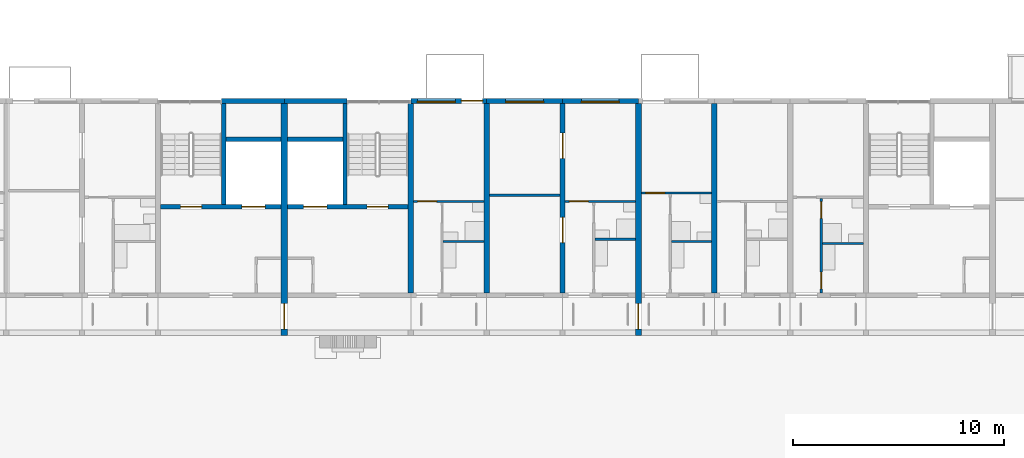
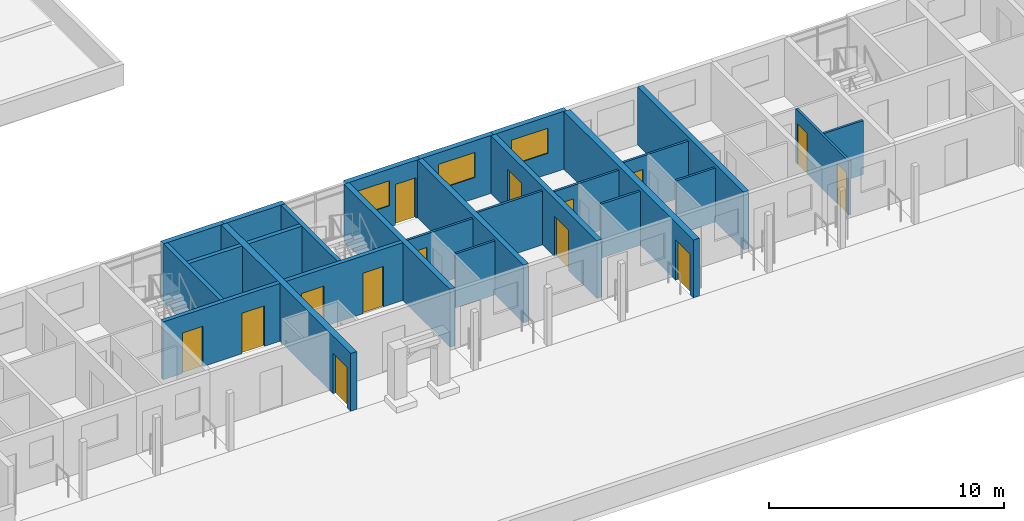
# One storey, part 59 of 115: 26 walls, 14 doors, 3 windows, 17 openings.
"""IFC4 building model written with IfcOpenShell, lengths in metres."""

from ifc_helpers import new_model, si_unit, direction, frame, frame_2d, origin, place, context, subcontext, project, spatial, rectangle, extrude, material, layer, layer_set, type_object, element, fill, save


model = new_model("IFC4")

# Units and contexts
model_context = context("Model", 3, precision=1e-05, world=origin(), true_north=direction((0.0, 1.0)))
body_context = subcontext(model_context, "Body", "Model", "MODEL_VIEW")
ifc_project = project(units=[si_unit("LENGTHUNIT", "METRE"), si_unit("AREAUNIT", "SQUARE_METRE"), si_unit("VOLUMEUNIT", "CUBIC_METRE"), si_unit("PLANEANGLEUNIT", "RADIAN"), si_unit("MASSUNIT", "GRAM", prefix="KILO")], contexts=[model_context])

# Site, building, storey
site_placement = place(None, origin())
site = spatial("IfcSite", under=ifc_project, at=site_placement, CompositionType="ELEMENT")
building_placement = place(site_placement, origin())
building = spatial("IfcBuilding", under=site, at=building_placement, Name="Ridgestep Commons", CompositionType="ELEMENT")
storey_placement = place(building_placement, frame((0.0, 0.0, 6.0)))
storey = spatial("IfcBuildingStorey", under=building, at=storey_placement, Name="L02", CompositionType="ELEMENT", Elevation=6.0)

# Wall
ifc_material_1 = material(Name="Concrete C30/37", Category="concrete")
ifc_layer_1 = layer(ifc_material_1, 0.25)
ifc_layer_set_1 = layer_set([ifc_layer_1], Name="Core cross wall 250")
wall_type_1 = type_object("IfcWallType", Name="Core cross wall 250", PredefinedType="SHEAR", material=ifc_layer_set_1)
wall_1_placement = place(storey_placement, frame((169.60009765625, 13.75, 0.0), z_axis=(0.0, 0.0, 1.0), x_axis=(0.0, 1.0, 0.0)))
element("IfcWall", 1, at=wall_1_placement, inside=storey, type_object=wall_type_1, Name="Cross wall D-02-1696", PredefinedType="SHEAR", context=body_context, shape_type="SweptSolid", body=[
    extrude(rectangle(XDim=9.0, YDim=0.25, at=frame_2d((4.5, 0.0))), origin(), (0.0, 0.0, 1.0), 3.0),
])

# Wall, openings, doors
ifc_material_2 = material(Name="Concrete C30/37", Category="concrete")
ifc_layer_2 = layer(ifc_material_2, 0.199951171875)
ifc_layer_set_2 = layer_set([ifc_layer_2], Name="Core wall 200")
wall_type_2 = type_object("IfcWallType", Name="Core wall 200", PredefinedType="SHEAR", material=ifc_layer_set_2)
wall_2_placement = place(storey_placement, frame((157.72509765625, 17.85009765625, 0.0), z_axis=(0.0, 0.0, 1.0), x_axis=(1.0, 0.0, 0.0)))
wall_2 = element("IfcWall", 2, at=wall_2_placement, inside=storey, type_object=wall_type_2, Name="Core lobby wall D1C L02", PredefinedType="SHEAR", context=body_context, shape_type="SweptSolid", body=[
    extrude(rectangle(XDim=5.724853515625, YDim=0.199951171875, at=frame_2d((2.8623046875, 0.0))), origin(), (0.0, 0.0, 1.0), 3.0),
])
opening_1_placement = place(wall_2_placement, frame((0.949951171875, 0.0, 0.0)))
opening_1 = element("IfcOpeningElement", 3, at=opening_1_placement, cuts=wall_2, Name="Opening D1C/02/2", PredefinedType="OPENING", context=body_context, shape_type="SweptSolid", body=[
    extrude(rectangle(XDim=1.0, YDim=2.10009765625, at=frame_2d((0.5, 1.050048828125))), frame((0.0, 0.10986328125, 0.0), z_axis=(0.0, -1.0, 0.0), x_axis=(1.0, 0.0, 0.0)), (0.0, 0.0, 1.0), 0.219970703125),
])
opening_2_placement = place(wall_2_placement, frame((3.862548828125, 0.0, 0.0)))
opening_2 = element("IfcOpeningElement", 4, at=opening_2_placement, cuts=wall_2, Name="Opening D1C/02/3", PredefinedType="OPENING", context=body_context, shape_type="SweptSolid", body=[
    extrude(rectangle(XDim=1.10009765625, YDim=2.10009765625, at=frame_2d((0.550048828125, 1.050048828125))), frame((0.0, 0.10986328125, 0.0), z_axis=(0.0, -1.0, 0.0), x_axis=(1.0, 0.0, 0.0)), (0.0, 0.0, 1.0), 0.219970703125),
])
ifc_material_3 = material(Name="Stainless steel", Category="steel")
door_type_1 = type_object("IfcDoorType", Name="Lift landing door 1100 x 2100 FD60", OperationType="DOUBLE_DOOR_SLIDING", PredefinedType="DOOR", material=ifc_material_3)
door_1_placement = place(opening_2_placement, origin())
door_1 = element("IfcDoor", 5, at=door_1_placement, inside=storey, type_object=door_type_1, Name="Landing door LD D1C L02", OperationType="DOUBLE_DOOR_SLIDING", OverallHeight=2.10009765625, OverallWidth=1.10009765625, PredefinedType="DOOR", context=body_context, shape_type="SweptSolid", body=[
    extrude(rectangle(XDim=1.10009765625, YDim=2.10009765625, at=frame_2d((0.550048828125, 1.050048828125))), frame((0.0, 0.02490234375, 0.0), z_axis=(0.0, -1.0, 0.0), x_axis=(1.0, 0.0, 0.0)), (0.0, 0.0, 1.0), 0.050048828125),
])
fill(opening_2, door_1)
ifc_material_4 = material(Name="Steel fire door", Category="steel")
door_type_2 = type_object("IfcDoorType", Name="Stair door 1000 x 2100 FD60", OperationType="NOTDEFINED", PredefinedType="DOOR", material=ifc_material_4)
door_2_placement = place(opening_1_placement, origin())
door_2 = element("IfcDoor", 6, at=door_2_placement, inside=storey, type_object=door_type_2, Name="Stair door D1C/02/2", OperationType="SINGLE_SWING_RIGHT", OverallHeight=2.10009765625, OverallWidth=1.0, PredefinedType="DOOR", context=body_context, shape_type="SweptSolid", body=[
    extrude(rectangle(XDim=1.0, YDim=2.10009765625, at=frame_2d((0.5, 1.050048828125))), frame((0.0, 0.02490234375, 0.0), z_axis=(0.0, -1.0, 0.0), x_axis=(1.0, 0.0, 0.0)), (0.0, 0.0, 1.0), 0.050048828125),
])
fill(opening_1, door_2)

# Walls
wall_3_placement = place(storey_placement, frame((160.72509765625, 17.949951171875, 0.0), z_axis=(0.0, 0.0, 1.0), x_axis=(0.0, 1.0, 0.0)))
element("IfcWall", 7, at=wall_3_placement, inside=storey, type_object=wall_type_2, Name="Core stair wall D1C L02", PredefinedType="SHEAR", context=body_context, shape_type="SweptSolid", body=[
    extrude(rectangle(XDim=4.800048828125, YDim=0.199951171875, at=frame_2d((2.39990234375, 0.0))), origin(), (0.0, 0.0, 1.0), 3.0),
])
wall_4_placement = place(storey_placement, frame((160.824951171875, 21.050048828125, 0.0), z_axis=(0.0, 0.0, 1.0), x_axis=(1.0, 0.0, 0.0)))
element("IfcWall", 8, at=wall_4_placement, inside=storey, type_object=wall_type_2, Name="Core duct wall D1C L02", PredefinedType="SHEAR", context=body_context, shape_type="SweptSolid", body=[
    extrude(rectangle(XDim=2.625, YDim=0.199951171875, at=frame_2d((1.3125, 0.0))), origin(), (0.0, 0.0, 1.0), 3.0),
])

# Wall, openings, doors
wall_5_placement = place(storey_placement, frame((163.75, 17.85009765625, 0.0), z_axis=(0.0, 0.0, 1.0), x_axis=(1.0, 0.0, 0.0)))
wall_5 = element("IfcWall", 9, at=wall_5_placement, inside=storey, type_object=wall_type_2, Name="Core lobby wall D2C L02", PredefinedType="SHEAR", context=body_context, shape_type="SweptSolid", body=[
    extrude(rectangle(XDim=5.72509765625, YDim=0.199951171875, at=frame_2d((2.862548828125, 0.0))), origin(), (0.0, 0.0, 1.0), 3.0),
])
opening_3_placement = place(wall_5_placement, frame((3.77490234375, 0.0, 0.0)))
opening_3 = element("IfcOpeningElement", 10, at=opening_3_placement, cuts=wall_5, Name="Opening D2C/02/2", PredefinedType="OPENING", context=body_context, shape_type="SweptSolid", body=[
    extrude(rectangle(XDim=1.0, YDim=2.10009765625, at=frame_2d((0.5, 1.050048828125))), frame((0.0, 0.10986328125, 0.0), z_axis=(0.0, -1.0, 0.0), x_axis=(1.0, 0.0, 0.0)), (0.0, 0.0, 1.0), 0.219970703125),
])
opening_4_placement = place(wall_5_placement, frame((0.762451171875, 0.0, 0.0)))
opening_4 = element("IfcOpeningElement", 11, at=opening_4_placement, cuts=wall_5, Name="Opening D2C/02/3", PredefinedType="OPENING", context=body_context, shape_type="SweptSolid", body=[
    extrude(rectangle(XDim=1.10009765625, YDim=2.10009765625, at=frame_2d((0.550048828125, 1.050048828125))), frame((0.0, 0.10986328125, 0.0), z_axis=(0.0, -1.0, 0.0), x_axis=(1.0, 0.0, 0.0)), (0.0, 0.0, 1.0), 0.219970703125),
])
door_3_placement = place(opening_4_placement, origin())
door_3 = element("IfcDoor", 12, at=door_3_placement, inside=storey, type_object=door_type_1, Name="Landing door LD D2C L02", OperationType="DOUBLE_DOOR_SLIDING", OverallHeight=2.10009765625, OverallWidth=1.10009765625, PredefinedType="DOOR", context=body_context, shape_type="SweptSolid", body=[
    extrude(rectangle(XDim=1.10009765625, YDim=2.10009765625, at=frame_2d((0.550048828125, 1.050048828125))), frame((0.0, 0.02490234375, 0.0), z_axis=(0.0, -1.0, 0.0), x_axis=(1.0, 0.0, 0.0)), (0.0, 0.0, 1.0), 0.050048828125),
])
fill(opening_4, door_3)
door_4_placement = place(opening_3_placement, origin())
door_4 = element("IfcDoor", 13, at=door_4_placement, inside=storey, type_object=door_type_2, Name="Stair door D2C/02/2", OperationType="SINGLE_SWING_RIGHT", OverallHeight=2.10009765625, OverallWidth=1.0, PredefinedType="DOOR", context=body_context, shape_type="SweptSolid", body=[
    extrude(rectangle(XDim=1.0, YDim=2.10009765625, at=frame_2d((0.5, 1.050048828125))), frame((0.0, 0.02490234375, 0.0), z_axis=(0.0, -1.0, 0.0), x_axis=(1.0, 0.0, 0.0)), (0.0, 0.0, 1.0), 0.050048828125),
])
fill(opening_3, door_4)

# Walls
wall_6_placement = place(storey_placement, frame((166.47509765625, 17.949951171875, 0.0), z_axis=(0.0, 0.0, 1.0), x_axis=(0.0, 1.0, 0.0)))
element("IfcWall", 14, at=wall_6_placement, inside=storey, type_object=wall_type_2, Name="Core stair wall D2C L02", PredefinedType="SHEAR", context=body_context, shape_type="SweptSolid", body=[
    extrude(rectangle(XDim=4.800048828125, YDim=0.199951171875, at=frame_2d((2.39990234375, 0.0))), origin(), (0.0, 0.0, 1.0), 3.0),
])
wall_7_placement = place(storey_placement, frame((163.75, 21.050048828125, 0.0), z_axis=(0.0, 0.0, 1.0), x_axis=(1.0, 0.0, 0.0)))
element("IfcWall", 15, at=wall_7_placement, inside=storey, type_object=wall_type_2, Name="Core duct wall D2C L02", PredefinedType="SHEAR", context=body_context, shape_type="SweptSolid", body=[
    extrude(rectangle(XDim=2.625, YDim=0.199951171875, at=frame_2d((1.3125, 0.0))), origin(), (0.0, 0.0, 1.0), 3.0),
])
ifc_material_5 = material(Name="Precast concrete C40/50", Category="concrete")
ifc_layer_3 = layer(ifc_material_5, 0.25)
ifc_layer_set_3 = layer_set([ifc_layer_3], Name="Cross wall 250")
wall_type_3 = type_object("IfcWallType", Name="Cross wall 250", PredefinedType="SHEAR", material=ifc_layer_set_3)
wall_8_placement = place(storey_placement, frame((173.199951171875, 13.75, 0.0), z_axis=(0.0, 0.0, 1.0), x_axis=(0.0, 1.0, 0.0)))
element("IfcWall", 16, at=wall_8_placement, inside=storey, type_object=wall_type_3, Name="Cross wall D-02-1732", PredefinedType="SHEAR", context=body_context, shape_type="SweptSolid", body=[
    extrude(rectangle(XDim=9.0, YDim=0.25, at=frame_2d((4.5, 0.0))), origin(), (0.0, 0.0, 1.0), 3.0),
])

# Wall, openings, doors
wall_9_placement = place(storey_placement, frame((176.800048828125, 13.75, 0.0), z_axis=(0.0, 0.0, 1.0), x_axis=(0.0, 1.0, 0.0)))
wall_9 = element("IfcWall", 17, at=wall_9_placement, inside=storey, type_object=wall_type_3, Name="Cross wall D-02-1768", PredefinedType="SHEAR", context=body_context, shape_type="SweptSolid", body=[
    extrude(rectangle(XDim=9.0, YDim=0.25, at=frame_2d((4.5, 0.0))), origin(), (0.0, 0.0, 1.0), 3.0),
])
opening_5_placement = place(wall_9_placement, frame((2.39990234375, 0.0, 0.0)))
opening_5 = element("IfcOpeningElement", 18, at=opening_5_placement, cuts=wall_9, Name="Opening D2-02a/5", PredefinedType="OPENING", context=body_context, shape_type="SweptSolid", body=[
    extrude(rectangle(XDim=1.199951171875, YDim=2.10009765625, at=frame_2d((0.60009765625, 1.050048828125))), frame((0.0, 0.135009765625, 0.0), z_axis=(0.0, -1.0, 0.0), x_axis=(1.0, 0.0, 0.0)), (0.0, 0.0, 1.0), 0.27001953125),
])
opening_6_placement = place(wall_9_placement, frame((6.39990234375, 0.0, 0.0)))
opening_6 = element("IfcOpeningElement", 19, at=opening_6_placement, cuts=wall_9, Name="Opening D2-02a/6", PredefinedType="OPENING", context=body_context, shape_type="SweptSolid", body=[
    extrude(rectangle(XDim=1.199951171875, YDim=2.10009765625, at=frame_2d((0.60009765625, 1.050048828125))), frame((0.0, 0.135009765625, 0.0), z_axis=(0.0, -1.0, 0.0), x_axis=(1.0, 0.0, 0.0)), (0.0, 0.0, 1.0), 0.27001953125),
])
ifc_material_6 = material(Name="Timber door leaf", Category="wood")
door_type_3 = type_object("IfcDoorType", Name="Double door 1200 x 2100", OperationType="DOUBLE_DOOR_SINGLE_SWING", PredefinedType="DOOR", material=ifc_material_6)
door_5_placement = place(opening_5_placement, origin())
door_5 = element("IfcDoor", 20, at=door_5_placement, inside=storey, type_object=door_type_3, Name="Double door D2-02a/5", OperationType="DOUBLE_DOOR_SINGLE_SWING", OverallHeight=2.10009765625, OverallWidth=1.199951171875, PredefinedType="DOOR", context=body_context, shape_type="SweptSolid", body=[
    extrude(rectangle(XDim=1.199951171875, YDim=2.10009765625, at=frame_2d((0.60009765625, 1.050048828125))), frame((0.0, 0.02490234375, 0.0), z_axis=(0.0, -1.0, 0.0), x_axis=(1.0, 0.0, 0.0)), (0.0, 0.0, 1.0), 0.050048828125),
])
fill(opening_5, door_5)
door_6_placement = place(opening_6_placement, origin())
door_6 = element("IfcDoor", 21, at=door_6_placement, inside=storey, type_object=door_type_3, Name="Double door D2-02a/6", OperationType="DOUBLE_DOOR_SINGLE_SWING", OverallHeight=2.10009765625, OverallWidth=1.199951171875, PredefinedType="DOOR", context=body_context, shape_type="SweptSolid", body=[
    extrude(rectangle(XDim=1.199951171875, YDim=2.10009765625, at=frame_2d((0.60009765625, 1.050048828125))), frame((0.0, 0.02490234375, 0.0), z_axis=(0.0, -1.0, 0.0), x_axis=(1.0, 0.0, 0.0)), (0.0, 0.0, 1.0), 0.050048828125),
])
fill(opening_6, door_6)

# Wall
wall_10_placement = place(storey_placement, frame((184.0, 13.75, 0.0), z_axis=(0.0, 0.0, 1.0), x_axis=(0.0, 1.0, 0.0)))
element("IfcWall", 22, at=wall_10_placement, inside=storey, type_object=wall_type_3, Name="Cross wall D-02-1840", PredefinedType="SHEAR", context=body_context, shape_type="SweptSolid", body=[
    extrude(rectangle(XDim=9.0, YDim=0.25, at=frame_2d((4.5, 0.0))), origin(), (0.0, 0.0, 1.0), 3.0),
])

# Wall, opening, door
ifc_material_7 = material(Name="Precast concrete C40/50", Category="concrete")
ifc_layer_4 = layer(ifc_material_7, 0.300048828125)
ifc_layer_set_4 = layer_set([ifc_layer_4], Name="Division wall 300")
wall_type_4 = type_object("IfcWallType", Name="Division wall 300", PredefinedType="SHEAR", material=ifc_layer_set_4)
wall_11_placement = place(storey_placement, frame((163.60009765625, 11.75, 0.0), z_axis=(0.0, 0.0, 1.0), x_axis=(0.0, 1.0, 0.0)))
wall_11 = element("IfcWall", 23, at=wall_11_placement, inside=storey, type_object=wall_type_4, Name="Cross wall D-02-1636", PredefinedType="SHEAR", context=body_context, shape_type="SweptSolid", body=[
    extrude(rectangle(XDim=11.0, YDim=0.300048828125, at=frame_2d((5.5, 0.0))), origin(), (0.0, 0.0, 1.0), 3.0),
])
opening_7_placement = place(wall_11_placement, frame((0.300048828125, 0.0, 0.0)))
opening_7 = element("IfcOpeningElement", 24, at=opening_7_placement, cuts=wall_11, Name="Opening D/02/G1636", PredefinedType="OPENING", context=body_context, shape_type="SweptSolid", body=[
    extrude(rectangle(XDim=1.199951171875, YDim=2.10009765625, at=frame_2d((0.60009765625, 1.050048828125))), frame((0.0, 0.159912109375, 0.0), z_axis=(0.0, -1.0, 0.0), x_axis=(1.0, 0.0, 0.0)), (0.0, 0.0, 1.0), 0.320068359375),
])
ifc_material_8 = material(Name="Steel fire door", Category="steel")
door_type_4 = type_object("IfcDoorType", Name="Division fire door 1200 x 2100 EI 240", OperationType="DOUBLE_DOOR_SINGLE_SWING", PredefinedType="DOOR", material=ifc_material_8)
door_7_placement = place(opening_7_placement, origin())
door_7 = element("IfcDoor", 25, at=door_7_placement, inside=storey, type_object=door_type_4, Name="Division fire door D/02/G1636", OperationType="DOUBLE_DOOR_SINGLE_SWING", OverallHeight=2.10009765625, OverallWidth=1.199951171875, PredefinedType="DOOR", context=body_context, shape_type="SweptSolid", body=[
    extrude(rectangle(XDim=1.199951171875, YDim=2.10009765625, at=frame_2d((0.60009765625, 1.050048828125))), frame((0.0, 0.02490234375, 0.0), z_axis=(0.0, -1.0, 0.0), x_axis=(1.0, 0.0, 0.0)), (0.0, 0.0, 1.0), 0.050048828125),
])
fill(opening_7, door_7)

wall_12_placement = place(storey_placement, frame((180.39990234375, 11.75, 0.0), z_axis=(0.0, 0.0, 1.0), x_axis=(0.0, 1.0, 0.0)))
wall_12 = element("IfcWall", 26, at=wall_12_placement, inside=storey, type_object=wall_type_4, Name="Cross wall D-02-1804", PredefinedType="SHEAR", context=body_context, shape_type="SweptSolid", body=[
    extrude(rectangle(XDim=11.0, YDim=0.300048828125, at=frame_2d((5.5, 0.0))), origin(), (0.0, 0.0, 1.0), 3.0),
])
opening_8_placement = place(wall_12_placement, frame((0.300048828125, 0.0, 0.0)))
opening_8 = element("IfcOpeningElement", 27, at=opening_8_placement, cuts=wall_12, Name="Opening D/02/G1804", PredefinedType="OPENING", context=body_context, shape_type="SweptSolid", body=[
    extrude(rectangle(XDim=1.199951171875, YDim=2.10009765625, at=frame_2d((0.60009765625, 1.050048828125))), frame((0.0, 0.159912109375, 0.0), z_axis=(0.0, -1.0, 0.0), x_axis=(1.0, 0.0, 0.0)), (0.0, 0.0, 1.0), 0.320068359375),
])
door_8_placement = place(opening_8_placement, origin())
door_8 = element("IfcDoor", 28, at=door_8_placement, inside=storey, type_object=door_type_4, Name="Division fire door D/02/G1804", OperationType="DOUBLE_DOOR_SINGLE_SWING", OverallHeight=2.10009765625, OverallWidth=1.199951171875, PredefinedType="DOOR", context=body_context, shape_type="SweptSolid", body=[
    extrude(rectangle(XDim=1.199951171875, YDim=2.10009765625, at=frame_2d((0.60009765625, 1.050048828125))), frame((0.0, 0.02490234375, 0.0), z_axis=(0.0, -1.0, 0.0), x_axis=(1.0, 0.0, 0.0)), (0.0, 0.0, 1.0), 0.050048828125),
])
fill(opening_8, door_8)

# Walls
ifc_material_9 = material(Name="Precast concrete C40/50", Category="concrete")
ifc_layer_5 = layer(ifc_material_9, 0.25)
ifc_layer_set_5 = layer_set([ifc_layer_5], Name="North facade panel 250")
wall_type_5 = type_object("IfcWallType", Name="North facade panel 250", PredefinedType="SOLIDWALL", material=ifc_layer_set_5)
wall_13_placement = place(storey_placement, frame((160.625, 22.875, 0.0), z_axis=(0.0, 0.0, 1.0), x_axis=(1.0, 0.0, 0.0)))
element("IfcWall", 29, at=wall_13_placement, inside=storey, type_object=wall_type_5, Name="North panel D1C L02", PredefinedType="SOLIDWALL", context=body_context, shape_type="SweptSolid", body=[
    extrude(rectangle(XDim=2.97509765625, YDim=0.25, at=frame_2d((1.487548828125, 0.0))), origin(), (0.0, 0.0, 1.0), 3.0),
])
wall_14_placement = place(storey_placement, frame((163.60009765625, 22.875, 0.0), z_axis=(0.0, 0.0, 1.0), x_axis=(1.0, 0.0, 0.0)))
element("IfcWall", 30, at=wall_14_placement, inside=storey, type_object=wall_type_5, Name="North panel D2C L02", PredefinedType="SOLIDWALL", context=body_context, shape_type="SweptSolid", body=[
    extrude(rectangle(XDim=2.974853515625, YDim=0.25, at=frame_2d((1.4873046875, 0.0))), origin(), (0.0, 0.0, 1.0), 3.0),
])

# Wall, openings, door, window
wall_15_placement = place(storey_placement, frame((169.60009765625, 22.875, 0.0), z_axis=(0.0, 0.0, 1.0), x_axis=(1.0, 0.0, 0.0)))
wall_15 = element("IfcWall", 31, at=wall_15_placement, inside=storey, type_object=wall_type_5, Name="North panel D2T3 L02", PredefinedType="SOLIDWALL", context=body_context, shape_type="SweptSolid", body=[
    extrude(rectangle(XDim=3.599853515625, YDim=0.25, at=frame_2d((1.7998046875, 0.0))), origin(), (0.0, 0.0, 1.0), 3.0),
])
opening_9_placement = place(wall_15_placement, frame((0.31298828125, 0.0, 1.10009765625)))
opening_9 = element("IfcOpeningElement", 32, at=opening_9_placement, cuts=wall_15, Name="Opening W18", PredefinedType="OPENING", context=body_context, shape_type="SweptSolid", body=[
    extrude(rectangle(XDim=1.800048828125, YDim=1.300048828125, at=frame_2d((0.89990234375, 0.64990234375))), frame((0.0, 0.135009765625, 0.0), z_axis=(0.0, -1.0, 0.0), x_axis=(1.0, 0.0, 0.0)), (0.0, 0.0, 1.0), 0.27001953125),
])
opening_10_placement = place(wall_15_placement, frame((2.40087890625, 0.0, 0.0)))
opening_10 = element("IfcOpeningElement", 33, at=opening_10_placement, cuts=wall_15, Name="Opening D2-02b/5", PredefinedType="OPENING", context=body_context, shape_type="SweptSolid", body=[
    extrude(rectangle(XDim=1.0, YDim=2.10009765625, at=frame_2d((0.5, 1.050048828125))), frame((0.0, 0.135009765625, 0.0), z_axis=(0.0, -1.0, 0.0), x_axis=(1.0, 0.0, 0.0)), (0.0, 0.0, 1.0), 0.27001953125),
])
ifc_material_10 = material(Name="Aluminium and glass", Category="aluminium")
door_type_5 = type_object("IfcDoorType", Name="Balcony door 1000 x 2100", OperationType="NOTDEFINED", PredefinedType="DOOR", material=ifc_material_10)
door_9_placement = place(opening_10_placement, origin())
door_9 = element("IfcDoor", 34, at=door_9_placement, inside=storey, type_object=door_type_5, Name="Balcony door D2-02b/5", OperationType="SINGLE_SWING_LEFT", OverallHeight=2.10009765625, OverallWidth=1.0, PredefinedType="DOOR", context=body_context, shape_type="SweptSolid", body=[
    extrude(rectangle(XDim=1.0, YDim=2.10009765625, at=frame_2d((0.5, 1.050048828125))), frame((0.0, 0.02490234375, 0.0), z_axis=(0.0, -1.0, 0.0), x_axis=(1.0, 0.0, 0.0)), (0.0, 0.0, 1.0), 0.050048828125),
])
fill(opening_10, door_9)
ifc_material_11 = material(Name="Aluminium 6063-T6 and glass", Category="aluminium")
window_type = type_object("IfcWindowType", Name="Flat window 1800 x 1300", PartitioningType="DOUBLE_PANEL_VERTICAL", PredefinedType="WINDOW", material=ifc_material_11)
window_1_placement = place(opening_9_placement, origin())
window_1 = element("IfcWindow", 35, at=window_1_placement, inside=storey, type_object=window_type, Name="Window D2-02b 2", OverallHeight=1.300048828125, OverallWidth=1.800048828125, PartitioningType="SINGLE_PANEL", PredefinedType="WINDOW", context=body_context, shape_type="SweptSolid", body=[
    extrude(rectangle(XDim=1.800048828125, YDim=1.300048828125, at=frame_2d((0.89990234375, 0.64990234375))), frame((0.0, -0.02490234375, 0.0), z_axis=(0.0, -1.0, 0.0), x_axis=(1.0, 0.0, 0.0)), (0.0, 0.0, 1.0), 0.06005859375),
])
fill(opening_9, window_1)

# Wall, opening, window
wall_16_placement = place(storey_placement, frame((173.199951171875, 22.875, 0.0), z_axis=(0.0, 0.0, 1.0), x_axis=(1.0, 0.0, 0.0)))
wall_16 = element("IfcWall", 36, at=wall_16_placement, inside=storey, type_object=wall_type_5, Name="North panel D2T2 L02", PredefinedType="SOLIDWALL", context=body_context, shape_type="SweptSolid", body=[
    extrude(rectangle(XDim=3.60009765625, YDim=0.25, at=frame_2d((1.800048828125, 0.0))), origin(), (0.0, 0.0, 1.0), 3.0),
])
opening_11_placement = place(wall_16_placement, frame((0.89990234375, 0.0, 1.10009765625)))
opening_11 = element("IfcOpeningElement", 37, at=opening_11_placement, cuts=wall_16, Name="Opening W18", PredefinedType="OPENING", context=body_context, shape_type="SweptSolid", body=[
    extrude(rectangle(XDim=1.800048828125, YDim=1.300048828125, at=frame_2d((0.89990234375, 0.64990234375))), frame((0.0, 0.135009765625, 0.0), z_axis=(0.0, -1.0, 0.0), x_axis=(1.0, 0.0, 0.0)), (0.0, 0.0, 1.0), 0.27001953125),
])
window_2_placement = place(opening_11_placement, origin())
window_2 = element("IfcWindow", 38, at=window_2_placement, inside=storey, type_object=window_type, Name="Window D2-02a 2", OverallHeight=1.300048828125, OverallWidth=1.800048828125, PartitioningType="SINGLE_PANEL", PredefinedType="WINDOW", context=body_context, shape_type="SweptSolid", body=[
    extrude(rectangle(XDim=1.800048828125, YDim=1.300048828125, at=frame_2d((0.89990234375, 0.64990234375))), frame((0.0, -0.02490234375, 0.0), z_axis=(0.0, -1.0, 0.0), x_axis=(1.0, 0.0, 0.0)), (0.0, 0.0, 1.0), 0.06005859375),
])
fill(opening_11, window_2)

wall_17_placement = place(storey_placement, frame((176.800048828125, 22.875, 0.0), z_axis=(0.0, 0.0, 1.0), x_axis=(1.0, 0.0, 0.0)))
wall_17 = element("IfcWall", 39, at=wall_17_placement, inside=storey, type_object=wall_type_5, Name="North panel D2T1 L02", PredefinedType="SOLIDWALL", context=body_context, shape_type="SweptSolid", body=[
    extrude(rectangle(XDim=3.599853515625, YDim=0.25, at=frame_2d((1.7998046875, 0.0))), origin(), (0.0, 0.0, 1.0), 3.0),
])
opening_12_placement = place(wall_17_placement, frame((0.887451171875, 0.0, 1.10009765625)))
opening_12 = element("IfcOpeningElement", 40, at=opening_12_placement, cuts=wall_17, Name="Opening W18", PredefinedType="OPENING", context=body_context, shape_type="SweptSolid", body=[
    extrude(rectangle(XDim=1.800048828125, YDim=1.300048828125, at=frame_2d((0.89990234375, 0.64990234375))), frame((0.0, 0.135009765625, 0.0), z_axis=(0.0, -1.0, 0.0), x_axis=(1.0, 0.0, 0.0)), (0.0, 0.0, 1.0), 0.27001953125),
])
window_3_placement = place(opening_12_placement, origin())
window_3 = element("IfcWindow", 41, at=window_3_placement, inside=storey, type_object=window_type, Name="Window D2-02a 4", OverallHeight=1.300048828125, OverallWidth=1.800048828125, PartitioningType="SINGLE_PANEL", PredefinedType="WINDOW", context=body_context, shape_type="SweptSolid", body=[
    extrude(rectangle(XDim=1.800048828125, YDim=1.300048828125, at=frame_2d((0.89990234375, 0.64990234375))), frame((0.0, -0.02490234375, 0.0), z_axis=(0.0, -1.0, 0.0), x_axis=(1.0, 0.0, 0.0)), (0.0, 0.0, 1.0), 0.06005859375),
])
fill(opening_12, window_3)

# Wall
ifc_material_12 = material(Name="Common brick 110 mm", Category="masonry")
ifc_layer_6 = layer(ifc_material_12, 0.110107421875)
ifc_layer_set_6 = layer_set([ifc_layer_6], Name="Partition 110")
wall_type_6 = type_object("IfcWallType", Name="Partition 110", PredefinedType="PARTITIONING", material=ifc_layer_set_6)
wall_18_placement = place(storey_placement, frame((178.3349609375, 16.304931640625, 0.0), z_axis=(0.0, 0.0, 1.0), x_axis=(1.0, 0.0, 0.0)))
element("IfcWall", 42, at=wall_18_placement, inside=storey, type_object=wall_type_6, Name="Partition D2-02a", PredefinedType="PARTITIONING", context=body_context, shape_type="SweptSolid", body=[
    extrude(rectangle(XDim=1.9150390625, YDim=0.110107421875, at=frame_2d((0.95751953125, 0.0))), origin(), (0.0, 0.0, 1.0), 2.800048828125),
])

# Wall, opening, door
wall_19_placement = place(storey_placement, frame((176.925048828125, 18.10498046875, 0.0), z_axis=(0.0, 0.0, 1.0), x_axis=(1.0, 0.0, 0.0)))
wall_19 = element("IfcWall", 43, at=wall_19_placement, inside=storey, type_object=wall_type_6, Name="Partition D2-02a", PredefinedType="PARTITIONING", context=body_context, shape_type="SweptSolid", body=[
    extrude(rectangle(XDim=3.324951171875, YDim=0.110107421875, at=frame_2d((1.66259765625, 0.0))), origin(), (0.0, 0.0, 1.0), 2.800048828125),
])
opening_13_placement = place(wall_19_placement, frame((0.199951171875, 0.0, 0.0)))
opening_13 = element("IfcOpeningElement", 44, at=opening_13_placement, cuts=wall_19, Name="Opening D2-02a/4", PredefinedType="OPENING", context=body_context, shape_type="SweptSolid", body=[
    extrude(rectangle(XDim=0.89990234375, YDim=2.10009765625, at=frame_2d((0.449951171875, 1.050048828125))), frame((0.0, 0.06494140625, 0.0), z_axis=(0.0, -1.0, 0.0), x_axis=(1.0, 0.0, 0.0)), (0.0, 0.0, 1.0), 0.130126953125),
])
ifc_material_13 = material(Name="Timber door leaf", Category="wood")
door_type_6 = type_object("IfcDoorType", Name="Internal door 900 x 2100", OperationType="NOTDEFINED", PredefinedType="DOOR", material=ifc_material_13)
door_10_placement = place(opening_13_placement, origin())
door_10 = element("IfcDoor", 45, at=door_10_placement, inside=storey, type_object=door_type_6, Name="Internal door D2-02a/4", OperationType="SINGLE_SWING_LEFT", OverallHeight=2.10009765625, OverallWidth=0.89990234375, PredefinedType="DOOR", context=body_context, shape_type="SweptSolid", body=[
    extrude(rectangle(XDim=0.89990234375, YDim=2.10009765625, at=frame_2d((0.449951171875, 1.050048828125))), frame((0.0, 0.02490234375, 0.0), z_axis=(0.0, -1.0, 0.0), x_axis=(1.0, 0.0, 0.0)), (0.0, 0.0, 1.0), 0.050048828125),
])
fill(opening_13, door_10)

# Walls
wall_20_placement = place(storey_placement, frame((173.324951171875, 18.405029296875, 0.0), z_axis=(0.0, 0.0, 1.0), x_axis=(1.0, 0.0, 0.0)))
element("IfcWall", 46, at=wall_20_placement, inside=storey, type_object=wall_type_6, Name="Partition D2-02a", PredefinedType="PARTITIONING", context=body_context, shape_type="SweptSolid", body=[
    extrude(rectangle(XDim=3.35009765625, YDim=0.110107421875, at=frame_2d((1.675048828125, 0.0))), origin(), (0.0, 0.0, 1.0), 2.800048828125),
])
wall_21_placement = place(storey_placement, frame((171.135009765625, 16.205078125, 0.0), z_axis=(0.0, 0.0, 1.0), x_axis=(1.0, 0.0, 0.0)))
element("IfcWall", 47, at=wall_21_placement, inside=storey, type_object=wall_type_6, Name="Partition D2-02b", PredefinedType="PARTITIONING", context=body_context, shape_type="SweptSolid", body=[
    extrude(rectangle(XDim=1.93994140625, YDim=0.110107421875, at=frame_2d((0.969970703125, 0.0))), origin(), (0.0, 0.0, 1.0), 2.800048828125),
])

# Wall, opening, door
wall_22_placement = place(storey_placement, frame((169.72509765625, 18.10498046875, 0.0), z_axis=(0.0, 0.0, 1.0), x_axis=(1.0, 0.0, 0.0)))
wall_22 = element("IfcWall", 48, at=wall_22_placement, inside=storey, type_object=wall_type_6, Name="Partition D2-02b", PredefinedType="PARTITIONING", context=body_context, shape_type="SweptSolid", body=[
    extrude(rectangle(XDim=3.349853515625, YDim=0.110107421875, at=frame_2d((1.6748046875, 0.0))), origin(), (0.0, 0.0, 1.0), 2.800048828125),
])
opening_14_placement = place(wall_22_placement, frame((0.199951171875, 0.0, 0.0)))
opening_14 = element("IfcOpeningElement", 49, at=opening_14_placement, cuts=wall_22, Name="Opening D2-02b/4", PredefinedType="OPENING", context=body_context, shape_type="SweptSolid", body=[
    extrude(rectangle(XDim=0.89990234375, YDim=2.10009765625, at=frame_2d((0.449951171875, 1.050048828125))), frame((0.0, 0.06494140625, 0.0), z_axis=(0.0, -1.0, 0.0), x_axis=(1.0, 0.0, 0.0)), (0.0, 0.0, 1.0), 0.130126953125),
])
door_11_placement = place(opening_14_placement, origin())
door_11 = element("IfcDoor", 50, at=door_11_placement, inside=storey, type_object=door_type_6, Name="Internal door D2-02b/4", OperationType="SINGLE_SWING_LEFT", OverallHeight=2.10009765625, OverallWidth=0.89990234375, PredefinedType="DOOR", context=body_context, shape_type="SweptSolid", body=[
    extrude(rectangle(XDim=0.89990234375, YDim=2.10009765625, at=frame_2d((0.449951171875, 1.050048828125))), frame((0.0, 0.02490234375, 0.0), z_axis=(0.0, -1.0, 0.0), x_axis=(1.0, 0.0, 0.0)), (0.0, 0.0, 1.0), 0.050048828125),
])
fill(opening_14, door_11)

# Wall
wall_23_placement = place(storey_placement, frame((181.9599609375, 16.205078125, 0.0), z_axis=(0.0, 0.0, 1.0), x_axis=(1.0, 0.0, 0.0)))
element("IfcWall", 51, at=wall_23_placement, inside=storey, type_object=wall_type_6, Name="Partition D3-02a", PredefinedType="PARTITIONING", context=body_context, shape_type="SweptSolid", body=[
    extrude(rectangle(XDim=1.9150390625, YDim=0.110107421875, at=frame_2d((0.95751953125, 0.0))), origin(), (0.0, 0.0, 1.0), 2.800048828125),
])

# Wall, opening, door
wall_24_placement = place(storey_placement, frame((180.550048828125, 18.5048828125, 0.0), z_axis=(0.0, 0.0, 1.0), x_axis=(1.0, 0.0, 0.0)))
wall_24 = element("IfcWall", 52, at=wall_24_placement, inside=storey, type_object=wall_type_6, Name="Partition D3-02a", PredefinedType="PARTITIONING", context=body_context, shape_type="SweptSolid", body=[
    extrude(rectangle(XDim=3.324951171875, YDim=0.110107421875, at=frame_2d((1.66259765625, 0.0))), origin(), (0.0, 0.0, 1.0), 2.800048828125),
])
opening_15_placement = place(wall_24_placement, frame((0.199951171875, 0.0, 0.0)))
opening_15 = element("IfcOpeningElement", 53, at=opening_15_placement, cuts=wall_24, Name="Opening D3-02a/4", PredefinedType="OPENING", context=body_context, shape_type="SweptSolid", body=[
    extrude(rectangle(XDim=0.89990234375, YDim=2.10009765625, at=frame_2d((0.449951171875, 1.050048828125))), frame((0.0, 0.06494140625, 0.0), z_axis=(0.0, -1.0, 0.0), x_axis=(1.0, 0.0, 0.0)), (0.0, 0.0, 1.0), 0.130126953125),
])
door_12_placement = place(opening_15_placement, origin())
door_12 = element("IfcDoor", 54, at=door_12_placement, inside=storey, type_object=door_type_6, Name="Internal door D3-02a/4", OperationType="SINGLE_SWING_LEFT", OverallHeight=2.10009765625, OverallWidth=0.89990234375, PredefinedType="DOOR", context=body_context, shape_type="SweptSolid", body=[
    extrude(rectangle(XDim=0.89990234375, YDim=2.10009765625, at=frame_2d((0.449951171875, 1.050048828125))), frame((0.0, 0.02490234375, 0.0), z_axis=(0.0, -1.0, 0.0), x_axis=(1.0, 0.0, 0.0)), (0.0, 0.0, 1.0), 0.050048828125),
])
fill(opening_15, door_12)

# Wall, openings, doors
wall_25_placement = place(storey_placement, frame((189.080078125, 13.75, 0.0), z_axis=(0.0, 0.0, 1.0), x_axis=(0.0, 1.0, 0.0)))
wall_25 = element("IfcWall", 55, at=wall_25_placement, inside=storey, type_object=wall_type_6, Name="Partition D3-02c", PredefinedType="PARTITIONING", context=body_context, shape_type="SweptSolid", body=[
    extrude(rectangle(XDim=4.5, YDim=0.110107421875, at=frame_2d((2.25, 0.0))), origin(), (0.0, 0.0, 1.0), 2.800048828125),
])
opening_16_placement = place(wall_25_placement, frame((0.199951171875, 0.0, 0.0)))
opening_16 = element("IfcOpeningElement", 56, at=opening_16_placement, cuts=wall_25, Name="Opening D3-02c/2", PredefinedType="OPENING", context=body_context, shape_type="SweptSolid", body=[
    extrude(rectangle(XDim=0.800048828125, YDim=2.10009765625, at=frame_2d((0.39990234375, 1.050048828125))), frame((0.0, 0.06494140625, 0.0), z_axis=(0.0, -1.0, 0.0), x_axis=(1.0, 0.0, 0.0)), (0.0, 0.0, 1.0), 0.130126953125),
])
opening_17_placement = place(wall_25_placement, frame((3.550048828125, 0.0, 0.0)))
opening_17 = element("IfcOpeningElement", 57, at=opening_17_placement, cuts=wall_25, Name="Opening D3-02c/3", PredefinedType="OPENING", context=body_context, shape_type="SweptSolid", body=[
    extrude(rectangle(XDim=0.800048828125, YDim=2.10009765625, at=frame_2d((0.39990234375, 1.050048828125))), frame((0.0, 0.06494140625, 0.0), z_axis=(0.0, -1.0, 0.0), x_axis=(1.0, 0.0, 0.0)), (0.0, 0.0, 1.0), 0.130126953125),
])
ifc_material_14 = material(Name="Timber door leaf", Category="wood")
door_type_7 = type_object("IfcDoorType", Name="Internal door 800 x 2100", OperationType="NOTDEFINED", PredefinedType="DOOR", material=ifc_material_14)
door_13_placement = place(opening_16_placement, origin())
door_13 = element("IfcDoor", 58, at=door_13_placement, inside=storey, type_object=door_type_7, Name="Internal door D3-02c/2", OperationType="SINGLE_SWING_RIGHT", OverallHeight=2.10009765625, OverallWidth=0.800048828125, PredefinedType="DOOR", context=body_context, shape_type="SweptSolid", body=[
    extrude(rectangle(XDim=0.800048828125, YDim=2.10009765625, at=frame_2d((0.39990234375, 1.050048828125))), frame((0.0, 0.02490234375, 0.0), z_axis=(0.0, -1.0, 0.0), x_axis=(1.0, 0.0, 0.0)), (0.0, 0.0, 1.0), 0.050048828125),
])
fill(opening_16, door_13)
door_14_placement = place(opening_17_placement, origin())
door_14 = element("IfcDoor", 59, at=door_14_placement, inside=storey, type_object=door_type_7, Name="Internal door D3-02c/3", OperationType="SINGLE_SWING_LEFT", OverallHeight=2.10009765625, OverallWidth=0.800048828125, PredefinedType="DOOR", context=body_context, shape_type="SweptSolid", body=[
    extrude(rectangle(XDim=0.800048828125, YDim=2.10009765625, at=frame_2d((0.39990234375, 1.050048828125))), frame((0.0, 0.02490234375, 0.0), z_axis=(0.0, -1.0, 0.0), x_axis=(1.0, 0.0, 0.0)), (0.0, 0.0, 1.0), 0.050048828125),
])
fill(opening_17, door_14)

# Wall
wall_26_placement = place(storey_placement, frame((189.135009765625, 16.10498046875, 0.0), z_axis=(0.0, 0.0, 1.0), x_axis=(1.0, 0.0, 0.0)))
element("IfcWall", 60, at=wall_26_placement, inside=storey, type_object=wall_type_6, Name="Partition D3-02c", PredefinedType="PARTITIONING", context=body_context, shape_type="SweptSolid", body=[
    extrude(rectangle(XDim=1.93994140625, YDim=0.110107421875, at=frame_2d((0.969970703125, 0.0))), origin(), (0.0, 0.0, 1.0), 2.800048828125),
])

save(model, "model.ifc")
